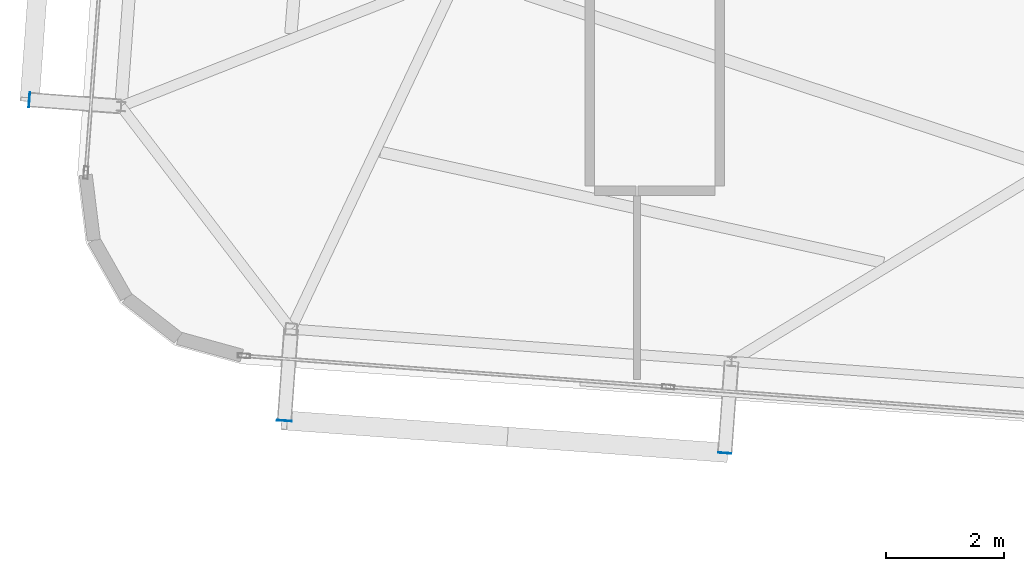
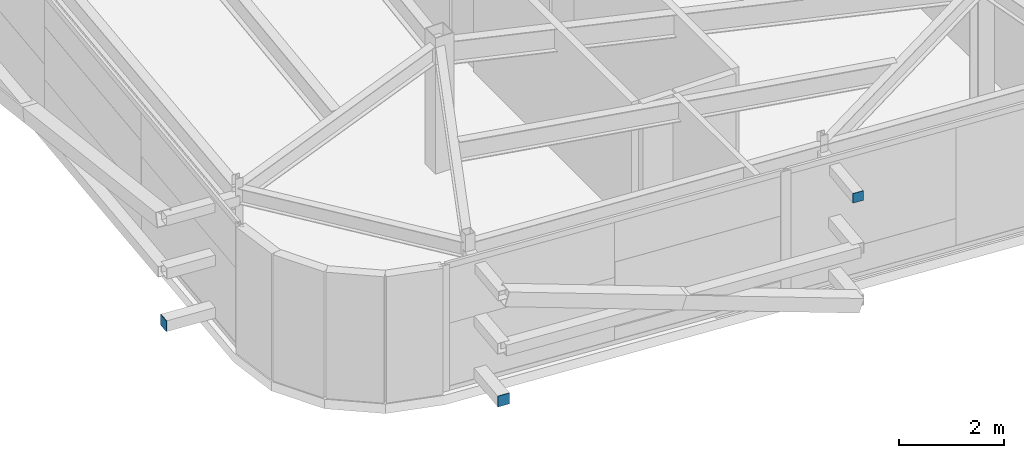
# One storey, part 25 of 36: 3 plates.
"""IFC4 building model written with IfcOpenShell, lengths in metres."""

import ifcopenshell
import ifcopenshell.guid

model = None  # the IFC model being written
_history = None  # IfcOwnerHistory: only IFC2X3 demands one
_inside = {}  # id of a spatial element -> (the spatial element, [elements in it])
_under = {}  # id of a project, library or spatial element -> (it, [spatial elements below it])
_declared = {}  # id of a project -> (the project, [libraries it declares])
_typed = {}  # id of a type object -> (the type object, [elements of that type])
_made_of = {}  # id of a material, layer set ... -> (it, [elements and type objects made of it])


def new_model(schema):
    """Start an empty IFC model of exactly this schema.

    Asked for "IFC4X3", IfcOpenShell would pick the latest addendum, in which some entities
    have other attributes; the version numbers below select the first issue.
    IFC2X3 requires an IfcOwnerHistory on every rooted entity: one is made here for all.
    """
    global model, _history
    if schema == "IFC4X3":
        model = ifcopenshell.file(schema_version=(4, 3, 0, 0))
    else:
        model = ifcopenshell.file(schema=schema)
    _inside.clear()
    _under.clear()
    _declared.clear()
    _typed.clear()
    _made_of.clear()
    _history = None
    if model.schema == "IFC2X3":
        org = make("IfcOrganization", Name="unknown")
        user = make(
            "IfcPersonAndOrganization",
            ThePerson=make("IfcPerson", FamilyName="unknown"),
            TheOrganization=org,
        )
        app = make(
            "IfcApplication",
            ApplicationDeveloper=org,
            Version="unknown",
            ApplicationFullName="unknown",
            ApplicationIdentifier="unknown",
        )
        _history = make(
            "IfcOwnerHistory",
            OwningUser=user,
            OwningApplication=app,
            ChangeAction="ADDED",
            CreationDate=0,
        )
    return model


def make(cls, **values):
    """One entity of the class cls with the attributes given. An attribute that is None is left unset."""
    return model.create_entity(
        cls, **{name: value for name, value in values.items() if value is not None}
    )


def rooted(cls, **values):
    """An entity with a GlobalId (a new one), such as an element, a storey or a relation."""
    return make(cls, GlobalId=ifcopenshell.guid.new(), OwnerHistory=_history, **values)


def si_unit(unit_type, name, prefix=None):
    """IfcSIUnit, for example si_unit("LENGTHUNIT", "METRE", prefix="MILLI")."""
    return make("IfcSIUnit", UnitType=unit_type, Prefix=prefix, Name=name)


def assignment(units):
    """IfcUnitAssignment: the units of a project."""
    return None if units is None else make("IfcUnitAssignment", Units=units)


def point(xyz):
    """IfcCartesianPoint."""
    return None if xyz is None else make("IfcCartesianPoint", Coordinates=xyz)


def direction(xyz):
    """IfcDirection."""
    return None if xyz is None else make("IfcDirection", DirectionRatios=xyz)


def frame(location, z_axis=None, x_axis=None):
    """IfcAxis2Placement3D, a coordinate frame: its origin and axes. An axis left out is left unset."""
    return make(
        "IfcAxis2Placement3D",
        Location=point(location),
        Axis=direction(z_axis),
        RefDirection=direction(x_axis),
    )


def frame_2d(location, x_axis=None):
    """IfcAxis2Placement2D, a coordinate frame in the plane: its origin and x axis."""
    return make(
        "IfcAxis2Placement2D", Location=point(location), RefDirection=direction(x_axis)
    )


def origin():
    """The frame at (0, 0, 0) with its axes left unset."""
    return frame((0.0, 0.0, 0.0))


def origin_2d():
    """The frame at (0, 0) in the plane with its x axis left unset."""
    return frame_2d((0.0, 0.0))


def place(relative_to, where):
    """IfcLocalPlacement: puts the frame where relative to a parent placement (None: the world)."""
    return make(
        "IfcLocalPlacement", PlacementRelTo=relative_to, RelativePlacement=where
    )


def context(
    kind, dimensions, precision=None, world=None, true_north=None, identifier=None
):
    """IfcGeometricRepresentationContext, for example the 3D "Model" context."""
    return make(
        "IfcGeometricRepresentationContext",
        ContextIdentifier=identifier,
        ContextType=kind,
        CoordinateSpaceDimension=dimensions,
        Precision=precision,
        WorldCoordinateSystem=world,
        TrueNorth=true_north,
    )


def subcontext(parent, identifier, kind, view, scale=None):
    """IfcGeometricRepresentationSubContext, for example "Body" below "Model"."""
    return make(
        "IfcGeometricRepresentationSubContext",
        ContextIdentifier=identifier,
        ContextType=kind,
        ParentContext=parent,
        TargetScale=scale,
        TargetView=view,
    )


def project(units=None, contexts=None):
    """IfcProject with its units and contexts."""
    return rooted(
        "IfcProject",
        Name="project",
        RepresentationContexts=contexts,
        UnitsInContext=assignment(units),
    )


def spatial(cls, under=None, at=None, **own):
    """A site, building, storey or space (cls), placed at a placement, below another one or the project."""
    s = rooted(cls, ObjectPlacement=at, **own)
    if under is not None:
        _under.setdefault(under.id(), (under, []))[1].append(s)
    return s


def profile(cls, at=None, kind="AREA", **sizes):
    """A parametric profile (cls). Its sizes go by their IFC names, for example OverallWidth=200.0."""
    return make(cls, ProfileType=kind, Position=at, **sizes)


def rectangle(**sizes):
    """IfcRectangleProfileDef."""
    return profile("IfcRectangleProfileDef", **sizes)


def extrude(swept, where, along, depth):
    """IfcExtrudedAreaSolid: the profile swept, set in the frame where, extruded along a direction by depth."""
    return make(
        "IfcExtrudedAreaSolid",
        SweptArea=swept,
        Position=where,
        ExtrudedDirection=direction(along),
        Depth=depth,
    )


def shape(context_of_items, identifier, shape_type, items):
    """IfcShapeRepresentation: the items that make up one representation, for example the "Body"."""
    return make(
        "IfcShapeRepresentation",
        ContextOfItems=context_of_items,
        RepresentationIdentifier=identifier,
        RepresentationType=shape_type,
        Items=items,
    )


def source(mapping_origin, context_of_items, identifier, shape_type, items):
    """IfcRepresentationMap: a shape defined once, which mapped items show again and again."""
    return make(
        "IfcRepresentationMap",
        MappingOrigin=mapping_origin,
        MappedRepresentation=shape(context_of_items, identifier, shape_type, items),
    )


def transform(
    local_origin,
    x_axis=None,
    y_axis=None,
    z_axis=None,
    scale=None,
    scale2=None,
    scale3=None,
    uniform=True,
):
    """IfcCartesianTransformationOperator3D, or its non-uniform kind. x_axis, y_axis, z_axis: its Axis1, 2, 3."""
    if uniform:
        return make(
            "IfcCartesianTransformationOperator3D",
            Axis1=direction(x_axis),
            Axis2=direction(y_axis),
            LocalOrigin=point(local_origin),
            Scale=scale,
            Axis3=direction(z_axis),
        )
    return make(
        "IfcCartesianTransformationOperator3DnonUniform",
        Axis1=direction(x_axis),
        Axis2=direction(y_axis),
        LocalOrigin=point(local_origin),
        Scale=scale,
        Axis3=direction(z_axis),
        Scale2=scale2,
        Scale3=scale3,
    )


def mapped(mapping_source, mapping_target):
    """IfcMappedItem: shows the shape of a source again, moved by a transform."""
    return make(
        "IfcMappedItem", MappingSource=mapping_source, MappingTarget=mapping_target
    )


def material(Name=None, Category=None):
    """IfcMaterial."""
    return make("IfcMaterial", Name=Name, Category=Category)


def layer(
    of_material, thickness, ventilated=None, Name=None, Category=None, Priority=None
):
    """IfcMaterialLayer: one layer of a wall or slab, of a material (None: an air gap)."""
    return make(
        "IfcMaterialLayer",
        Material=of_material,
        LayerThickness=thickness,
        IsVentilated=ventilated,
        Name=Name,
        Category=Category,
        Priority=Priority,
    )


def layer_set(layers, Name=None):
    """IfcMaterialLayerSet."""
    return make("IfcMaterialLayerSet", MaterialLayers=layers, LayerSetName=Name)


def made_of(thing, what):
    """Note that an element or type object is made of a material, layer set ...; save() writes the relation."""
    if what is not None:
        _made_of.setdefault(what.id(), (what, []))[1].append(thing)
    return thing


def type_object(cls, material=None, **own):
    """A type object (cls), such as IfcWallType, which elements share."""
    return made_of(rooted(cls, **own), material)


def element(
    cls,
    number,
    at=None,
    inside=None,
    cuts=None,
    type_object=None,
    material=None,
    context=None,
    identifier="Body",
    shape_type=None,
    held_by="IfcProductDefinitionShape",
    body=None,
    shapes=None,
    **own,
):
    """One element of the class cls, such as IfcWall. Its Tag is "e" and its number.

    at: its placement. inside: the storey or other place that contains it. cuts: it is an
    opening in that element (IfcRelVoidsElement). A single representation is given by context,
    identifier, shape_type and body (its items); several are given by shapes. held_by: the class
    of the entity that holds the representations. save() writes the other relations.
    """
    e = rooted(cls, Tag="e%d" % number, ObjectPlacement=at, **own)
    if body is not None:
        shapes = [shape(context, identifier, shape_type, body)]
    if shapes is not None:
        e.Representation = make(held_by, Representations=shapes)
    if inside is not None:
        _inside.setdefault(inside.id(), (inside, []))[1].append(e)
    if cuts is not None:
        rooted(
            "IfcRelVoidsElement", RelatingBuildingElement=cuts, RelatedOpeningElement=e
        )
    if type_object is not None:
        _typed.setdefault(type_object.id(), (type_object, []))[1].append(e)
    return made_of(e, material)


def aggregate(whole, parts):
    """IfcRelAggregates: a whole, such as a stair, and the parts it consists of."""
    return rooted("IfcRelAggregates", RelatingObject=whole, RelatedObjects=parts)


def save(model, path):
    """Write the relations noted so far, then the file.

    IfcRelAggregates (storeys below a building ...), IfcRelContainedInSpatialStructure (elements
    in a storey), IfcRelDefinesByType, IfcRelAssociatesMaterial and IfcRelDeclares: one each for
    every whole, place, type object, material and project.
    """
    for whole, parts in _under.values():
        aggregate(whole, parts)
    for where, things in _inside.values():
        rooted(
            "IfcRelContainedInSpatialStructure",
            RelatedElements=things,
            RelatingStructure=where,
        )
    for kind, things in _typed.values():
        rooted("IfcRelDefinesByType", RelatedObjects=things, RelatingType=kind)
    for what, things in _made_of.values():
        rooted("IfcRelAssociatesMaterial", RelatedObjects=things, RelatingMaterial=what)
    for by, libraries in _declared.values():
        rooted("IfcRelDeclares", RelatingContext=by, RelatedDefinitions=libraries)
    model.write(path)


model = new_model("IFC4")

# Units and contexts
model_context = context("Model", 3, precision=1e-05, world=origin(), true_north=direction((0.0, 1.0)))
body_context = subcontext(model_context, "Body", "Model", "MODEL_VIEW")
ifc_project = project(units=[si_unit("LENGTHUNIT", "METRE"), si_unit("AREAUNIT", "SQUARE_METRE"), si_unit("VOLUMEUNIT", "CUBIC_METRE"), si_unit("PLANEANGLEUNIT", "RADIAN"), si_unit("MASSUNIT", "GRAM", prefix="KILO")], contexts=[model_context])

# Site, building, storey
site_placement = place(None, origin())
site = spatial("IfcSite", under=ifc_project, at=site_placement, CompositionType="ELEMENT")
building_placement = place(site_placement, origin())
building = spatial("IfcBuilding", under=site, at=building_placement, Name="Taldren Reach Tower", CompositionType="ELEMENT")
storey_placement = place(building_placement, frame((0.0, 0.0, 227.14990234375)))
storey = spatial("IfcBuildingStorey", under=building, at=storey_placement, Name="L69", CompositionType="ELEMENT", Elevation=227.14990234375)

# Plates
ifc_material_1 = material(Name="Steel Gr 350 (C350L0)", Category="steel")
ifc_layer_1 = layer(ifc_material_1, 0.011962890625)
ifc_layer_set_1 = layer_set([ifc_layer_1], Name="Steel Gr 350 (C350L0)")
plate_type_1 = type_object("IfcPlateType", Name="PL-CAP-250", PredefinedType="SHEET", material=ifc_layer_set_1)
shared_shape_1 = source(origin(), body_context, "Body", "SweptSolid", [
    extrude(rectangle(XDim=0.25, YDim=0.011962890625, at=origin_2d()), origin(), (0.0, 0.0, 1.0), 0.25),
])
plate_1_placement = place(storey_placement, frame((15.026611328125, 4.908447265625, 0.09521484375), z_axis=(0.0, 0.0, 1.0), x_axis=(0.997314477224, -0.073238197128, 0.0)))
element("IfcPlate", 1, at=plate_1_placement, inside=storey, type_object=plate_type_1, Name="Tie strut end cap plate B5-S1 L69", PredefinedType="SHEET", context=body_context, shape_type="MappedRepresentation", body=[
    mapped(shared_shape_1, transform((0.0, 0.0, 0.0), scale=1.0)),
])
shared_shape_2 = source(origin(), body_context, "Body", "SweptSolid", [
    extrude(rectangle(XDim=0.011962890625, YDim=0.25, at=origin_2d()), origin(), (0.0, 0.0, 1.0), 0.25),
])
plate_2_placement = place(storey_placement, frame((10.707275390625, 10.345458984375, 0.09521484375), z_axis=(0.0, 0.0, 1.0), x_axis=(0.997314477224, -0.073238197128, 0.0)))
element("IfcPlate", 2, at=plate_2_placement, inside=storey, type_object=plate_type_1, Name="Tie strut end cap plate B5-W1 L69", PredefinedType="SHEET", context=body_context, shape_type="MappedRepresentation", body=[
    mapped(shared_shape_2, transform((0.0, 0.0, 0.0), scale=1.0)),
])
ifc_material_2 = material(Name="Steel Gr 450 (C450L0)", Category="steel")
ifc_layer_2 = layer(ifc_material_2, 0.011962890625)
ifc_layer_set_2 = layer_set([ifc_layer_2], Name="Steel Gr 450 (C450L0)")
plate_type_2 = type_object("IfcPlateType", Name="PL-CAP-220", PredefinedType="SHEET", material=ifc_layer_set_2)
shared_shape_3 = source(origin(), body_context, "Body", "SweptSolid", [
    extrude(rectangle(XDim=0.219970703125, YDim=0.011962890625, at=origin_2d()), origin(), (0.0, 0.0, 1.0), 0.219970703125),
])
plate_3_placement = place(storey_placement, frame((22.486572265625, 4.360595703125, 2.5400390625), z_axis=(0.0, 0.0, 1.0), x_axis=(0.997314477224, -0.073238197128, 0.0)))
element("IfcPlate", 3, at=plate_3_placement, inside=storey, type_object=plate_type_2, Name="Tie strut end cap plate B5-S2 L69", PredefinedType="SHEET", context=body_context, shape_type="MappedRepresentation", body=[
    mapped(shared_shape_3, transform((0.0, 0.0, 0.0), scale=1.0)),
])

save(model, "model.ifc")
